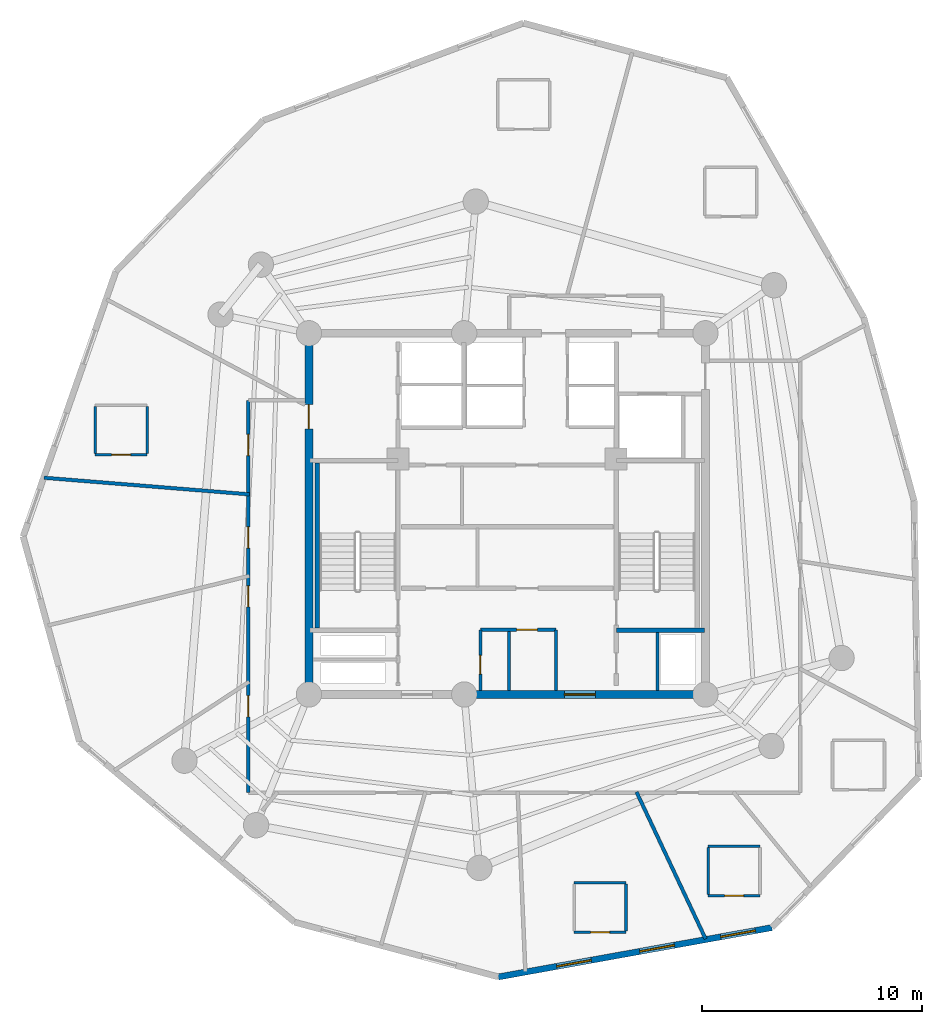
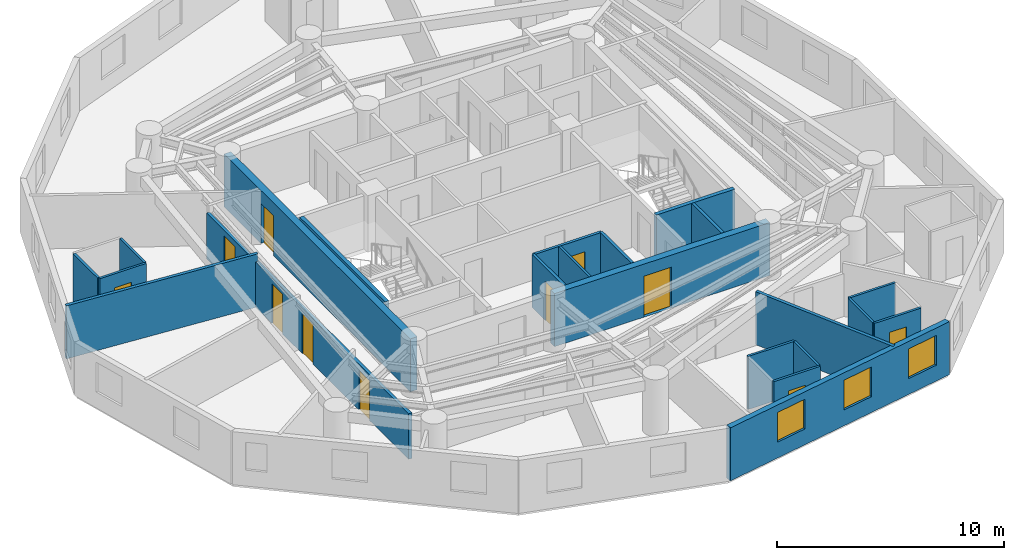
# One storey, part 3 of 7: 22 walls, 11 doors, 3 windows, 14 openings.
"""IFC4 building model written with IfcOpenShell, lengths in metres."""

from ifc_helpers import new_model, si_unit, direction, frame, frame_2d, origin, origin_with_axes, place, context, subcontext, project, spatial, rectangle, extrude, source, transform, mapped, material, layer, layer_set, type_object, element, fill, save


model = new_model("IFC4")

# Units and contexts
model_context = context("Model", 3, precision=1e-05, world=origin(), true_north=direction((0.0, 1.0)))
body_context = subcontext(model_context, "Body", "Model", "MODEL_VIEW")
ifc_project = project(units=[si_unit("LENGTHUNIT", "METRE"), si_unit("AREAUNIT", "SQUARE_METRE"), si_unit("VOLUMEUNIT", "CUBIC_METRE"), si_unit("PLANEANGLEUNIT", "RADIAN"), si_unit("MASSUNIT", "GRAM", prefix="KILO")], contexts=[model_context])

# Site, building, storey
site_placement = place(None, origin())
site = spatial("IfcSite", under=ifc_project, at=site_placement, CompositionType="ELEMENT")
building_placement = place(site_placement, origin())
building = spatial("IfcBuilding", under=site, at=building_placement, Name="Karkom Vertical University and Central Library", CompositionType="ELEMENT")
storey_placement = place(building_placement, frame((0.0, 0.0, 226.050048828125)))
storey = spatial("IfcBuildingStorey", under=building, at=storey_placement, Name="L66", CompositionType="ELEMENT", Elevation=226.050048828125)

# Wall, openings, windows
ifc_material_1 = material(Name="Brick-faced precast concrete C45/55", Category="masonry")
ifc_layer_1 = layer(ifc_material_1, 0.280029296875)
ifc_layer_set_1 = layer_set([ifc_layer_1], Name="Brick-faced precast concrete C45/55")
wall_type_1 = type_object("IfcWallType", Name="ENV-WL-BRK-280", PredefinedType="SOLIDWALL", material=ifc_layer_set_1)
wall_1_placement = place(storey_placement, frame((28.09619140625, 5.477783203125, 0.0), z_axis=(0.0, 0.0, 1.0), x_axis=(0.984130395751, 0.177446792472, 0.0)))
wall_1 = element("IfcWall", 1, at=wall_1_placement, inside=storey, type_object=wall_type_1, Name="Level 66 Brick-Faced Precast Facade Wall 04", PredefinedType="SOLIDWALL", context=body_context, shape_type="SweptSolid", body=[
    extrude(rectangle(XDim=12.62060546875, YDim=0.280029296875, at=frame_2d((6.310302734375, 0.0))), origin(), (0.0, 0.0, 1.0), 2.849853515625),
])
opening_1_placement = place(wall_1_placement, frame((2.69384765625, 0.0, 0.85009765625)))
opening_1 = element("IfcOpeningElement", 2, at=opening_1_placement, cuts=wall_1, Name="Opening WN-10", PredefinedType="OPENING", context=body_context, shape_type="SweptSolid", body=[
    extrude(rectangle(XDim=1.60009765625, YDim=1.60009765625, at=frame_2d((0.800048828125, 0.800048828125))), frame((0.0, 0.14990234375, 0.0), z_axis=(0.0, -1.0, 0.0), x_axis=(1.0, 0.0, 0.0)), (0.0, 0.0, 1.0), 0.300048828125),
])
opening_2_placement = place(wall_1_placement, frame((6.525390625, 0.0, 0.85009765625)))
opening_2 = element("IfcOpeningElement", 3, at=opening_2_placement, cuts=wall_1, Name="Opening WN-10", PredefinedType="OPENING", context=body_context, shape_type="SweptSolid", body=[
    extrude(rectangle(XDim=1.60009765625, YDim=1.60009765625, at=frame_2d((0.800048828125, 0.800048828125))), frame((0.0, 0.14990234375, 0.0), z_axis=(0.0, -1.0, 0.0), x_axis=(1.0, 0.0, 0.0)), (0.0, 0.0, 1.0), 0.300048828125),
])
opening_3_placement = place(wall_1_placement, frame((10.260986328125, 0.0, 0.85009765625)))
opening_3 = element("IfcOpeningElement", 4, at=opening_3_placement, cuts=wall_1, Name="Opening WN-10", PredefinedType="OPENING", context=body_context, shape_type="SweptSolid", body=[
    extrude(rectangle(XDim=1.60009765625, YDim=1.60009765625, at=frame_2d((0.800048828125, 0.800048828125))), frame((0.0, 0.14990234375, 0.0), z_axis=(0.0, -1.0, 0.0), x_axis=(1.0, 0.0, 0.0)), (0.0, 0.0, 1.0), 0.300048828125),
])
ifc_material_2 = material(Name="Aluminium thermal-break frame with solar-control IGU", Category="aluminium")
window_type = type_object("IfcWindowType", Name="ENV-WIN-WN-10", PartitioningType="SINGLE_PANEL", PredefinedType="WINDOW", material=ifc_material_2)
shared_shape_1 = source(origin_with_axes(), body_context, "Body", "SweptSolid", [
    extrude(rectangle(XDim=1.60009765625, YDim=1.60009765625, at=frame_2d((0.800048828125, 0.800048828125))), frame((0.0, 0.030029296875, 0.0), z_axis=(0.0, -1.0, 0.0), x_axis=(1.0, 0.0, 0.0)), (0.0, 0.0, 1.0), 0.06005859375),
])
window_1_placement = place(opening_1_placement, origin())
window_1 = element("IfcWindow", 5, at=window_1_placement, inside=storey, type_object=window_type, Name="Level 66 Punched Window 4.1", OverallHeight=1.60009765625, OverallWidth=1.60009765625, PartitioningType="SINGLE_PANEL", PredefinedType="WINDOW", context=body_context, shape_type="MappedRepresentation", body=[
    mapped(shared_shape_1, transform((0.0, 0.0, 0.0), scale=1.0)),
])
fill(opening_1, window_1)
window_2_placement = place(opening_2_placement, origin())
window_2 = element("IfcWindow", 6, at=window_2_placement, inside=storey, type_object=window_type, Name="Level 66 Punched Window 4.2", OverallHeight=1.60009765625, OverallWidth=1.60009765625, PartitioningType="SINGLE_PANEL", PredefinedType="WINDOW", context=body_context, shape_type="MappedRepresentation", body=[
    mapped(shared_shape_1, transform((0.0, 0.0, 0.0), scale=1.0)),
])
fill(opening_2, window_2)
window_3_placement = place(opening_3_placement, origin())
window_3 = element("IfcWindow", 7, at=window_3_placement, inside=storey, type_object=window_type, Name="Level 66 Punched Window 4.3", OverallHeight=1.60009765625, OverallWidth=1.60009765625, PartitioningType="SINGLE_PANEL", PredefinedType="WINDOW", context=body_context, shape_type="MappedRepresentation", body=[
    mapped(shared_shape_1, transform((0.0, 0.0, 0.0), scale=1.0)),
])
fill(opening_3, window_3)

# Wall, openings, doors
ifc_material_3 = material(Name="Insulated metal-stud drywall 160mm", Category="gypsum")
ifc_layer_2 = layer(ifc_material_3, 0.159912109375)
ifc_layer_set_2 = layer_set([ifc_layer_2], Name="Insulated metal-stud drywall 160mm")
wall_type_2 = type_object("IfcWallType", Name="INT-WL-COR-160", PredefinedType="PARTITIONING", material=ifc_layer_set_2)
wall_2_placement = place(storey_placement, frame((16.75, 13.85009765625, 0.0), z_axis=(0.0, 0.0, 1.0), x_axis=(0.0, 1.0, 0.0)))
wall_2 = element("IfcWall", 8, at=wall_2_placement, inside=storey, type_object=wall_type_2, Name="Level 66 Interior Partition Wall L66-CORW-CW-002", PredefinedType="PARTITIONING", context=body_context, shape_type="SweptSolid", body=[
    extrude(rectangle(XDim=17.7998046875, YDim=0.159912109375, at=frame_2d((8.89990234375, 0.0))), origin(), (0.0, 0.0, 1.0), 2.449951171875),
])
opening_4_placement = place(wall_2_placement, frame((15.298583984375, 0.0, 0.0)))
opening_4 = element("IfcOpeningElement", 9, at=opening_4_placement, cuts=wall_2, Name="Opening FD-RM2", PredefinedType="OPENING", context=body_context, shape_type="SweptSolid", body=[
    extrude(rectangle(XDim=0.9599609375, YDim=2.14990234375, at=frame_2d((0.47998046875, 1.074951171875))), frame((0.0, 0.08984375, 0.0), z_axis=(0.0, -1.0, 0.0), x_axis=(1.0, 0.0, 0.0)), (0.0, 0.0, 1.0), 0.179931640625),
])
opening_5_placement = place(wall_2_placement, frame((11.094970703125, 0.0, 0.0)))
opening_5 = element("IfcOpeningElement", 10, at=opening_5_placement, cuts=wall_2, Name="Opening FD-RM2", PredefinedType="OPENING", context=body_context, shape_type="SweptSolid", body=[
    extrude(rectangle(XDim=0.9599609375, YDim=2.14990234375, at=frame_2d((0.47998046875, 1.074951171875))), frame((0.0, 0.08984375, 0.0), z_axis=(0.0, -1.0, 0.0), x_axis=(1.0, 0.0, 0.0)), (0.0, 0.0, 1.0), 0.179931640625),
])
opening_6_placement = place(wall_2_placement, frame((8.425048828125, 0.0, 0.0)))
opening_6 = element("IfcOpeningElement", 11, at=opening_6_placement, cuts=wall_2, Name="Opening FD-RM2", PredefinedType="OPENING", context=body_context, shape_type="SweptSolid", body=[
    extrude(rectangle(XDim=0.9599609375, YDim=2.14990234375, at=frame_2d((0.47998046875, 1.074951171875))), frame((0.0, 0.08984375, 0.0), z_axis=(0.0, -1.0, 0.0), x_axis=(1.0, 0.0, 0.0)), (0.0, 0.0, 1.0), 0.179931640625),
])
opening_7_placement = place(wall_2_placement, frame((3.43505859375, 0.0, 0.0)))
opening_7 = element("IfcOpeningElement", 12, at=opening_7_placement, cuts=wall_2, Name="Opening FD-RM2", PredefinedType="OPENING", context=body_context, shape_type="SweptSolid", body=[
    extrude(rectangle(XDim=0.9599609375, YDim=2.14990234375, at=frame_2d((0.47998046875, 1.074951171875))), frame((0.0, 0.08984375, 0.0), z_axis=(0.0, -1.0, 0.0), x_axis=(1.0, 0.0, 0.0)), (0.0, 0.0, 1.0), 0.179931640625),
])
ifc_material_4 = material(Name="Fire-rated oak veneer door", Category="wood")
door_type_1 = type_object("IfcDoorType", Name="INT-DR-FRM2", OperationType="NOTDEFINED", PredefinedType="DOOR", material=ifc_material_4)
shared_shape_2 = source(origin_with_axes(), body_context, "Body", "SweptSolid", [
    extrude(rectangle(XDim=0.9599609375, YDim=2.14990234375, at=frame_2d((0.47998046875, 1.074951171875))), frame((0.0, 0.02490234375, 0.0), z_axis=(0.0, -1.0, 0.0), x_axis=(1.0, 0.0, 0.0)), (0.0, 0.0, 1.0), 0.050048828125),
])
door_1_placement = place(opening_4_placement, origin())
door_1 = element("IfcDoor", 13, at=door_1_placement, inside=storey, type_object=door_type_1, Name="Level 66 Room Entry Door 424", OperationType="SINGLE_SWING_RIGHT", OverallHeight=2.14990234375, OverallWidth=0.9599609375, PredefinedType="DOOR", context=body_context, shape_type="MappedRepresentation", body=[
    mapped(shared_shape_2, transform((0.0, 0.0, 0.0), scale=1.0)),
])
fill(opening_4, door_1)
door_2_placement = place(opening_5_placement, origin())
door_2 = element("IfcDoor", 14, at=door_2_placement, inside=storey, type_object=door_type_1, Name="Level 66 Room Entry Door 300", OperationType="SINGLE_SWING_LEFT", OverallHeight=2.14990234375, OverallWidth=0.9599609375, PredefinedType="DOOR", context=body_context, shape_type="MappedRepresentation", body=[
    mapped(shared_shape_2, transform((0.0, 0.0, 0.0), scale=1.0)),
])
fill(opening_5, door_2)
door_3_placement = place(opening_6_placement, origin())
door_3 = element("IfcDoor", 15, at=door_3_placement, inside=storey, type_object=door_type_1, Name="Level 66 Room Entry Door 301", OperationType="SINGLE_SWING_RIGHT", OverallHeight=2.14990234375, OverallWidth=0.9599609375, PredefinedType="DOOR", context=body_context, shape_type="MappedRepresentation", body=[
    mapped(shared_shape_2, transform((0.0, 0.0, 0.0), scale=1.0)),
])
fill(opening_6, door_3)
door_4_placement = place(opening_7_placement, origin())
door_4 = element("IfcDoor", 16, at=door_4_placement, inside=storey, type_object=door_type_1, Name="Level 66 Room Entry Door 302", OperationType="SINGLE_SWING_LEFT", OverallHeight=2.14990234375, OverallWidth=0.9599609375, PredefinedType="DOOR", context=body_context, shape_type="MappedRepresentation", body=[
    mapped(shared_shape_2, transform((0.0, 0.0, 0.0), scale=1.0)),
])
fill(opening_7, door_4)

# Walls
wall_3_placement = place(storey_placement, frame((7.480712890625, 28.1396484375, 0.0), z_axis=(0.0, 0.0, 1.0), x_axis=(0.996746543384, -0.080599803055, 0.0)))
element("IfcWall", 17, at=wall_3_placement, inside=storey, type_object=wall_type_2, Name="Level 66 Interior Partition Wall L66-PW-002", PredefinedType="PARTITIONING", context=body_context, shape_type="SweptSolid", body=[
    extrude(rectangle(XDim=9.3447265625, YDim=0.159912109375, at=frame_2d((4.67236328125, 0.0))), origin(), (0.0, 0.0, 1.0), 2.849853515625),
])
wall_4_placement = place(storey_placement, frame((34.37060546875, 13.877197265625, 0.0), z_axis=(0.0, 0.0, 1.0), x_axis=(0.425623280848, -0.90490044911, 0.0)))
element("IfcWall", 18, at=wall_4_placement, inside=storey, type_object=wall_type_2, Name="Level 66 Interior Partition Wall L66-PW-008", PredefinedType="PARTITIONING", context=body_context, shape_type="SweptSolid", body=[
    extrude(rectangle(XDim=7.3759765625, YDim=0.159912109375, at=frame_2d((3.68798828125, 0.0))), origin(), (0.0, 0.0, 1.0), 2.849853515625),
])
ifc_material_5 = material(Name="Moisture-resistant drywall 120mm", Category="gypsum")
ifc_layer_3 = layer(ifc_material_5, 0.1201171875)
ifc_layer_set_3 = layer_set([ifc_layer_3], Name="Moisture-resistant drywall 120mm")
wall_type_3 = type_object("IfcWallType", Name="INT-WL-INT-120", PredefinedType="PARTITIONING", material=ifc_layer_set_3)
wall_5_placement = place(storey_placement, frame((28.580078125, 18.48193359375, 0.0), z_axis=(0.0, 0.0, 1.0), x_axis=(0.0, 1.0, 0.0)))
element("IfcWall", 19, at=wall_5_placement, inside=storey, type_object=wall_type_3, Name="Level 66 Interior Partition Wall L66-CW-K2-DIV", PredefinedType="PARTITIONING", context=body_context, shape_type="SweptSolid", body=[
    extrude(rectangle(XDim=2.687255859375, YDim=0.1201171875, at=frame_2d((1.34375, 0.0))), origin(), (0.0, 0.0, 1.0), 2.849853515625),
])

# Wall, opening, door
ifc_layer_4 = layer(ifc_material_5, 0.1201171875)
ifc_layer_set_4 = layer_set([ifc_layer_4], Name="Moisture-resistant drywall 120mm")
wall_type_4 = type_object("IfcWallType", Name="INT-WL-INT-120F", PredefinedType="PARTITIONING", material=ifc_layer_set_4)
wall_6_placement = place(storey_placement, frame((31.537109375, 7.509033203125, 0.0), z_axis=(0.0, 0.0, 1.0), x_axis=(1.0, 0.0, 0.0)))
wall_6 = element("IfcWall", 20, at=wall_6_placement, inside=storey, type_object=wall_type_4, Name="Level 66 Interior Partition Wall L66-ENS-45-S", PredefinedType="PARTITIONING", context=body_context, shape_type="SweptSolid", body=[
    extrude(rectangle(XDim=2.35986328125, YDim=0.1201171875, at=frame_2d((1.179931640625, 0.0))), origin(), (0.0, 0.0, 1.0), 2.849853515625),
])
opening_8_placement = place(wall_6_placement, frame((0.75, 0.0, 0.0)))
opening_8 = element("IfcOpeningElement", 21, at=opening_8_placement, cuts=wall_6, Name="Opening D-BATH", PredefinedType="OPENING", context=body_context, shape_type="SweptSolid", body=[
    extrude(rectangle(XDim=0.860107421875, YDim=2.10009765625, at=frame_2d((0.43017578125, 1.050048828125))), frame((0.0, 0.070068359375, 0.0), z_axis=(0.0, -1.0, 0.0), x_axis=(1.0, 0.0, 0.0)), (0.0, 0.0, 1.0), 0.14013671875),
])
ifc_material_6 = material(Name="Moisture-resistant oak door", Category="wood")
door_type_2 = type_object("IfcDoorType", Name="INT-DR-BATH", OperationType="NOTDEFINED", PredefinedType="DOOR", material=ifc_material_6)
shared_shape_3 = source(origin_with_axes(), body_context, "Body", "SweptSolid", [
    extrude(rectangle(XDim=0.860107421875, YDim=2.10009765625, at=frame_2d((0.43017578125, 1.050048828125))), frame((0.0, 0.02490234375, 0.0), z_axis=(0.0, -1.0, 0.0), x_axis=(1.0, 0.0, 0.0)), (0.0, 0.0, 1.0), 0.050048828125),
])
door_5_placement = place(opening_8_placement, origin())
door_5 = element("IfcDoor", 22, at=door_5_placement, inside=storey, type_object=door_type_2, Name="Level 66 En-Suite Bathroom Door 45", OperationType="SINGLE_SWING_LEFT", OverallHeight=2.10009765625, OverallWidth=0.860107421875, PredefinedType="DOOR", context=body_context, shape_type="MappedRepresentation", body=[
    mapped(shared_shape_3, transform((0.0, 0.0, 0.0), scale=1.0)),
])
fill(opening_8, door_5)

# Wall
wall_7_placement = place(storey_placement, frame((33.89697265625, 9.7490234375, 0.0), z_axis=(0.0, 0.0, 1.0), x_axis=(-1.0, 0.0, 0.0)))
element("IfcWall", 23, at=wall_7_placement, inside=storey, type_object=wall_type_4, Name="Level 66 Interior Partition Wall L66-ENS-45-N", PredefinedType="PARTITIONING", context=body_context, shape_type="SweptSolid", body=[
    extrude(rectangle(XDim=2.35986328125, YDim=0.1201171875, at=frame_2d((1.179931640625, 0.0))), origin(), (0.0, 0.0, 1.0), 2.849853515625),
])

# Wall, opening, door
wall_8_placement = place(storey_placement, frame((37.6201171875, 9.1669921875, 0.0), z_axis=(0.0, 0.0, 1.0), x_axis=(1.0, 0.0, 0.0)))
wall_8 = element("IfcWall", 24, at=wall_8_placement, inside=storey, type_object=wall_type_4, Name="Level 66 Interior Partition Wall L66-ENS-46-S", PredefinedType="PARTITIONING", context=body_context, shape_type="SweptSolid", body=[
    extrude(rectangle(XDim=2.35986328125, YDim=0.1201171875, at=frame_2d((1.179931640625, 0.0))), origin(), (0.0, 0.0, 1.0), 2.849853515625),
])
opening_9_placement = place(wall_8_placement, frame((0.75, 0.0, 0.0)))
opening_9 = element("IfcOpeningElement", 25, at=opening_9_placement, cuts=wall_8, Name="Opening D-BATH", PredefinedType="OPENING", context=body_context, shape_type="SweptSolid", body=[
    extrude(rectangle(XDim=0.860107421875, YDim=2.10009765625, at=frame_2d((0.43017578125, 1.050048828125))), frame((0.0, 0.070068359375, 0.0), z_axis=(0.0, -1.0, 0.0), x_axis=(1.0, 0.0, 0.0)), (0.0, 0.0, 1.0), 0.14013671875),
])
door_6_placement = place(opening_9_placement, origin())
door_6 = element("IfcDoor", 26, at=door_6_placement, inside=storey, type_object=door_type_2, Name="Level 66 En-Suite Bathroom Door 46", OperationType="SINGLE_SWING_LEFT", OverallHeight=2.10009765625, OverallWidth=0.860107421875, PredefinedType="DOOR", context=body_context, shape_type="MappedRepresentation", body=[
    mapped(shared_shape_3, transform((0.0, 0.0, 0.0), scale=1.0)),
])
fill(opening_9, door_6)

# Wall
wall_9_placement = place(storey_placement, frame((39.97998046875, 11.406982421875, 0.0), z_axis=(0.0, 0.0, 1.0), x_axis=(-1.0, 0.0, 0.0)))
element("IfcWall", 27, at=wall_9_placement, inside=storey, type_object=wall_type_4, Name="Level 66 Interior Partition Wall L66-ENS-46-N", PredefinedType="PARTITIONING", context=body_context, shape_type="SweptSolid", body=[
    extrude(rectangle(XDim=2.35986328125, YDim=0.1201171875, at=frame_2d((1.179931640625, 0.0))), origin(), (0.0, 0.0, 1.0), 2.849853515625),
])

# Wall, opening, door
wall_10_placement = place(storey_placement, frame((9.794921875, 29.18896484375, 0.0), z_axis=(0.0, 0.0, 1.0), x_axis=(1.0, 0.0, 0.0)))
wall_10 = element("IfcWall", 28, at=wall_10_placement, inside=storey, type_object=wall_type_4, Name="Level 66 Interior Partition Wall L66-ENS-52-S", PredefinedType="PARTITIONING", context=body_context, shape_type="SweptSolid", body=[
    extrude(rectangle(XDim=2.360107421875, YDim=0.1201171875, at=frame_2d((1.18017578125, 0.0))), origin(), (0.0, 0.0, 1.0), 2.849853515625),
])
opening_10_placement = place(wall_10_placement, frame((0.75, 0.0, 0.0)))
opening_10 = element("IfcOpeningElement", 29, at=opening_10_placement, cuts=wall_10, Name="Opening D-BATH", PredefinedType="OPENING", context=body_context, shape_type="SweptSolid", body=[
    extrude(rectangle(XDim=0.860107421875, YDim=2.10009765625, at=frame_2d((0.43017578125, 1.050048828125))), frame((0.0, 0.070068359375, 0.0), z_axis=(0.0, -1.0, 0.0), x_axis=(1.0, 0.0, 0.0)), (0.0, 0.0, 1.0), 0.14013671875),
])
door_7_placement = place(opening_10_placement, origin())
door_7 = element("IfcDoor", 30, at=door_7_placement, inside=storey, type_object=door_type_2, Name="Level 66 En-Suite Bathroom Door 52", OperationType="SINGLE_SWING_LEFT", OverallHeight=2.10009765625, OverallWidth=0.860107421875, PredefinedType="DOOR", context=body_context, shape_type="MappedRepresentation", body=[
    mapped(shared_shape_3, transform((0.0, 0.0, 0.0), scale=1.0)),
])
fill(opening_10, door_7)

# Walls
for number, where, z_axis, x_axis, name in (
    (31, (12.155029296875, 29.239013671875, 0.0), (0.0, 0.0, 1.0), (0.0, 1.0, 0.0), "Level 66 Interior Partition Wall L66-ENS-52-E"),
    (32, (9.794921875, 31.37890625, 0.0), (0.0, 0.0, 1.0), (0.0, -1.0, 0.0), "Level 66 Interior Partition Wall L66-ENS-52-W"),
    (33, (33.89697265625, 7.55908203125, 0.0), (0.0, 0.0, 1.0), (0.0, 1.0, 0.0), "Level 66 Interior Partition Wall L66-ENS-45-E"),
    (34, (37.6201171875, 11.35693359375, 0.0), (0.0, 0.0, 1.0), (0.0, -1.0, 0.0), "Level 66 Interior Partition Wall L66-ENS-46-W"),
):
    element("IfcWall", number, at=place(storey_placement, frame(where, z_axis=z_axis, x_axis=x_axis)), inside=storey, type_object=wall_type_4, Name=name, PredefinedType="PARTITIONING", context=body_context, shape_type="SweptSolid", body=[
        extrude(rectangle(XDim=2.139892578125, YDim=0.1201171875, at=frame_2d((1.06982421875, 0.0))), origin(), (0.0, 0.0, 1.0), 2.849853515625),
    ])

# Wall, opening, door
ifc_material_7 = material(Name="Metal-stud gypsum partition 140mm", Category="gypsum")
ifc_layer_5 = layer(ifc_material_7, 0.139892578125)
ifc_layer_set_5 = layer_set([ifc_layer_5], Name="Metal-stud gypsum partition 140mm")
wall_type_5 = type_object("IfcWallType", Name="INT-WL-SUB-140", PredefinedType="PARTITIONING", material=ifc_layer_set_5)
wall_11_placement = place(storey_placement, frame((27.280029296875, 21.239990234375, 0.0), z_axis=(0.0, 0.0, 1.0), x_axis=(1.0, 0.0, 0.0)))
wall_11 = element("IfcWall", 35, at=wall_11_placement, inside=storey, type_object=wall_type_5, Name="Level 66 Interior Partition Wall L66-CW-KBAY-N", PredefinedType="PARTITIONING", context=body_context, shape_type="SweptSolid", body=[
    extrude(rectangle(XDim=3.43994140625, YDim=0.139892578125, at=frame_2d((1.719970703125, 0.0))), origin(), (0.0, 0.0, 1.0), 2.849853515625),
])
opening_11_placement = place(wall_11_placement, frame((1.64990234375, 0.0, 0.0)))
opening_11 = element("IfcOpeningElement", 36, at=opening_11_placement, cuts=wall_11, Name="Opening D-WC1", PredefinedType="OPENING", context=body_context, shape_type="SweptSolid", body=[
    extrude(rectangle(XDim=0.93994140625, YDim=2.10009765625, at=frame_2d((0.469970703125, 1.050048828125))), frame((0.0, 0.080078125, 0.0), z_axis=(0.0, -1.0, 0.0), x_axis=(1.0, 0.0, 0.0)), (0.0, 0.0, 1.0), 0.159912109375),
])
ifc_material_8 = material(Name="Fire-rated laminate moisture-resistant door", Category="wood")
door_type_3 = type_object("IfcDoorType", Name="INT-DR-WC1", OperationType="NOTDEFINED", PredefinedType="DOOR", material=ifc_material_8)
shared_shape_4 = source(origin_with_axes(), body_context, "Body", "SweptSolid", [
    extrude(rectangle(XDim=0.93994140625, YDim=2.10009765625, at=frame_2d((0.469970703125, 1.050048828125))), frame((0.0, 0.02490234375, 0.0), z_axis=(0.0, -1.0, 0.0), x_axis=(1.0, 0.0, 0.0)), (0.0, 0.0, 1.0), 0.050048828125),
])
door_8_placement = place(opening_11_placement, origin())
door_8 = element("IfcDoor", 37, at=door_8_placement, inside=storey, type_object=door_type_3, Name="Level 66 Staff WC Door", OperationType="SINGLE_SWING_LEFT", OverallHeight=2.10009765625, OverallWidth=0.93994140625, PredefinedType="DOOR", context=body_context, shape_type="MappedRepresentation", body=[
    mapped(shared_shape_4, transform((0.0, 0.0, 0.0), scale=1.0)),
])
fill(opening_11, door_8)

wall_12_placement = place(storey_placement, frame((27.280029296875, 18.48193359375, 0.0), z_axis=(0.0, 0.0, 1.0), x_axis=(0.0, 1.0, 0.0)))
wall_12 = element("IfcWall", 38, at=wall_12_placement, inside=storey, type_object=wall_type_5, Name="Level 66 Interior Partition Wall L66-CW-KBAY-W", PredefinedType="PARTITIONING", context=body_context, shape_type="SweptSolid", body=[
    extrude(rectangle(XDim=2.758056640625, YDim=0.139892578125, at=frame_2d((1.37890625, 0.0))), origin(), (0.0, 0.0, 1.0), 2.849853515625),
])
opening_12_placement = place(wall_12_placement, frame((0.739990234375, 0.0, 0.0)))
opening_12 = element("IfcOpeningElement", 39, at=opening_12_placement, cuts=wall_12, Name="Opening D-BATH", PredefinedType="OPENING", context=body_context, shape_type="SweptSolid", body=[
    extrude(rectangle(XDim=0.860107421875, YDim=2.10009765625, at=frame_2d((0.43017578125, 1.050048828125))), frame((0.0, 0.080078125, 0.0), z_axis=(0.0, -1.0, 0.0), x_axis=(1.0, 0.0, 0.0)), (0.0, 0.0, 1.0), 0.159912109375),
])
door_9_placement = place(opening_12_placement, origin())
door_9 = element("IfcDoor", 40, at=door_9_placement, inside=storey, type_object=door_type_2, Name="Level 66 Cleaners Store Door", OperationType="SINGLE_SWING_RIGHT", OverallHeight=2.10009765625, OverallWidth=0.860107421875, PredefinedType="DOOR", context=body_context, shape_type="MappedRepresentation", body=[
    mapped(shared_shape_3, transform((0.0, 0.0, 0.0), scale=1.0)),
])
fill(opening_12, door_9)

# Walls
wall_13_placement = place(storey_placement, frame((30.719970703125, 18.48193359375, 0.0), z_axis=(0.0, 0.0, 1.0), x_axis=(0.0, 1.0, 0.0)))
element("IfcWall", 41, at=wall_13_placement, inside=storey, type_object=wall_type_5, Name="Level 66 Interior Partition Wall L66-CW-KBAY-E", PredefinedType="PARTITIONING", context=body_context, shape_type="SweptSolid", body=[
    extrude(rectangle(XDim=2.758056640625, YDim=0.139892578125, at=frame_2d((1.37890625, 0.0))), origin(), (0.0, 0.0, 1.0), 2.849853515625),
])
ifc_layer_6 = layer(ifc_material_7, 0.139892578125)
ifc_layer_set_6 = layer_set([ifc_layer_6], Name="Metal-stud gypsum partition 140mm")
wall_type_6 = type_object("IfcWallType", Name="INT-WL-SUB-140H", PredefinedType="PARTITIONING", material=ifc_layer_set_6)
wall_14_placement = place(storey_placement, frame((35.320068359375, 18.48193359375, 0.0), z_axis=(0.0, 0.0, 1.0), x_axis=(0.0, 1.0, 0.0)))
element("IfcWall", 42, at=wall_14_placement, inside=storey, type_object=wall_type_6, Name="Level 66 Interior Partition Wall L66-CW-RIS-E", PredefinedType="PARTITIONING", context=body_context, shape_type="SweptSolid", body=[
    extrude(rectangle(XDim=2.629150390625, YDim=0.139892578125, at=frame_2d((1.314453125, 0.0))), origin(), (0.0, 0.0, 1.0), 2.849853515625),
])

# Wall, opening, door
ifc_material_9 = material(Name="Concrete C45/55", Category="concrete")
ifc_layer_7 = layer(ifc_material_9, 0.35009765625)
ifc_layer_set_7 = layer_set([ifc_layer_7], Name="Concrete C45/55")
wall_type_7 = type_object("IfcWallType", Name="STR-WL-CW-350", PredefinedType="SHEAR", material=ifc_layer_set_7)
wall_15_placement = place(storey_placement, frame((26.550048828125, 18.300048828125, 0.0), z_axis=(0.0, 0.0, 1.0), x_axis=(1.0, 0.0, 0.0)))
wall_15 = element("IfcWall", 43, at=wall_15_placement, inside=storey, type_object=wall_type_7, Name="Level 66 Central Core Shear Wall SW2", PredefinedType="SHEAR", context=body_context, shape_type="SweptSolid", body=[
    extrude(rectangle(XDim=10.949951171875, YDim=0.35009765625, at=frame_2d((5.47509765625, 0.0))), origin(), (0.0, 0.0, 1.0), 2.849853515625),
])
opening_13_placement = place(wall_15_placement, frame((4.550048828125, 0.0, 0.0)))
opening_13 = element("IfcOpeningElement", 44, at=opening_13_placement, cuts=wall_15, Name="Opening FD-CLB", PredefinedType="OPENING", context=body_context, shape_type="SweptSolid", body=[
    extrude(rectangle(XDim=1.39990234375, YDim=2.199951171875, at=frame_2d((0.699951171875, 1.10009765625))), frame((0.0, 0.18505859375, 0.0), z_axis=(0.0, -1.0, 0.0), x_axis=(1.0, 0.0, 0.0)), (0.0, 0.0, 1.0), 0.3701171875),
])
ifc_material_10 = material(Name="Painted steel fire door", Category="steel")
door_type_4 = type_object("IfcDoorType", Name="INT-DR-CLB", OperationType="DOUBLE_DOOR_SINGLE_SWING", PredefinedType="DOOR", material=ifc_material_10)
shared_shape_5 = source(origin_with_axes(), body_context, "Body", "SweptSolid", [
    extrude(rectangle(XDim=1.39990234375, YDim=2.199951171875, at=frame_2d((0.699951171875, 1.10009765625))), frame((0.0, 0.02490234375, 0.0), z_axis=(0.0, -1.0, 0.0), x_axis=(1.0, 0.0, 0.0)), (0.0, 0.0, 1.0), 0.050048828125),
])
door_10_placement = place(opening_13_placement, origin())
door_10 = element("IfcDoor", 45, at=door_10_placement, inside=storey, type_object=door_type_4, Name="Level 66 South Core Lobby East Exit Door", OperationType="DOUBLE_DOOR_SINGLE_SWING", OverallHeight=2.199951171875, OverallWidth=1.39990234375, PredefinedType="DOOR", context=body_context, shape_type="MappedRepresentation", body=[
    mapped(shared_shape_5, transform((0.0, 0.0, 0.0), scale=1.0)),
])
fill(opening_13, door_10)

wall_16_placement = place(storey_placement, frame((19.5, 34.699951171875, 0.0), z_axis=(0.0, 0.0, 1.0), x_axis=(0.0, -1.0, 0.0)))
wall_16 = element("IfcWall", 46, at=wall_16_placement, inside=storey, type_object=wall_type_7, Name="Level 66 Central Core Shear Wall WW", PredefinedType="SHEAR", context=body_context, shape_type="SweptSolid", body=[
    extrude(rectangle(XDim=16.39990234375, YDim=0.35009765625, at=frame_2d((8.199951171875, 0.0))), origin(), (0.0, 0.0, 1.0), 2.849853515625),
])
opening_14_placement = place(wall_16_placement, frame((3.239990234375, 0.0, 0.0)))
opening_14 = element("IfcOpeningElement", 47, at=opening_14_placement, cuts=wall_16, Name="Opening FD-FFL", PredefinedType="OPENING", context=body_context, shape_type="SweptSolid", body=[
    extrude(rectangle(XDim=1.10009765625, YDim=2.14990234375, at=frame_2d((0.550048828125, 1.074951171875))), frame((0.0, 0.18505859375, 0.0), z_axis=(0.0, -1.0, 0.0), x_axis=(1.0, 0.0, 0.0)), (0.0, 0.0, 1.0), 0.3701171875),
])
ifc_material_11 = material(Name="Painted steel smoke-seal fire door", Category="steel")
door_type_5 = type_object("IfcDoorType", Name="INT-DR-FFL", OperationType="NOTDEFINED", PredefinedType="DOOR", material=ifc_material_11)
shared_shape_6 = source(origin_with_axes(), body_context, "Body", "SweptSolid", [
    extrude(rectangle(XDim=1.10009765625, YDim=2.14990234375, at=frame_2d((0.550048828125, 1.074951171875))), frame((0.0, 0.02490234375, 0.0), z_axis=(0.0, -1.0, 0.0), x_axis=(1.0, 0.0, 0.0)), (0.0, 0.0, 1.0), 0.050048828125),
])
door_11_placement = place(opening_14_placement, origin())
door_11 = element("IfcDoor", 48, at=door_11_placement, inside=storey, type_object=door_type_5, Name="Level 66 West Corridor Firefighting Lobby Door", OperationType="SINGLE_SWING_RIGHT", OverallHeight=2.14990234375, OverallWidth=1.10009765625, PredefinedType="DOOR", context=body_context, shape_type="MappedRepresentation", body=[
    mapped(shared_shape_6, transform((0.0, 0.0, 0.0), scale=1.0)),
])
fill(opening_14, door_11)

# Walls
ifc_layer_8 = layer(ifc_material_9, 0.199951171875)
ifc_layer_set_8 = layer_set([ifc_layer_8], Name="Concrete C45/55")
wall_type_8 = type_object("IfcWallType", Name="STR-WL-ST-200", PredefinedType="SHEAR", material=ifc_layer_set_8)
wall_17_placement = place(storey_placement, frame((19.875, 21.320068359375, 0.0), z_axis=(0.0, 0.0, 1.0), x_axis=(0.0, 1.0, 0.0)))
element("IfcWall", 49, at=wall_17_placement, inside=storey, type_object=wall_type_8, Name="Level 66 Core Shaft Wall L66-CW-ST1-W", PredefinedType="SHEAR", context=body_context, shape_type="SweptSolid", body=[
    extrude(rectangle(XDim=7.5, YDim=0.199951171875, at=frame_2d((3.75, 0.0))), origin(), (0.0, 0.0, 1.0), 2.849853515625),
])
wall_18_placement = place(storey_placement, frame((33.455078125, 21.215087890625, 0.0), z_axis=(0.0, 0.0, 1.0), x_axis=(1.0, 0.0, 0.0)))
element("IfcWall", 50, at=wall_18_placement, inside=storey, type_object=wall_type_8, Name="Level 66 Core Shaft Wall L66-CW-ST2-S", PredefinedType="SHEAR", context=body_context, shape_type="SweptSolid", body=[
    extrude(rectangle(XDim=3.994873046875, YDim=0.199951171875, at=frame_2d((1.99755859375, 0.0))), origin(), (0.0, 0.0, 1.0), 2.849853515625),
])

save(model, "model.ifc")
